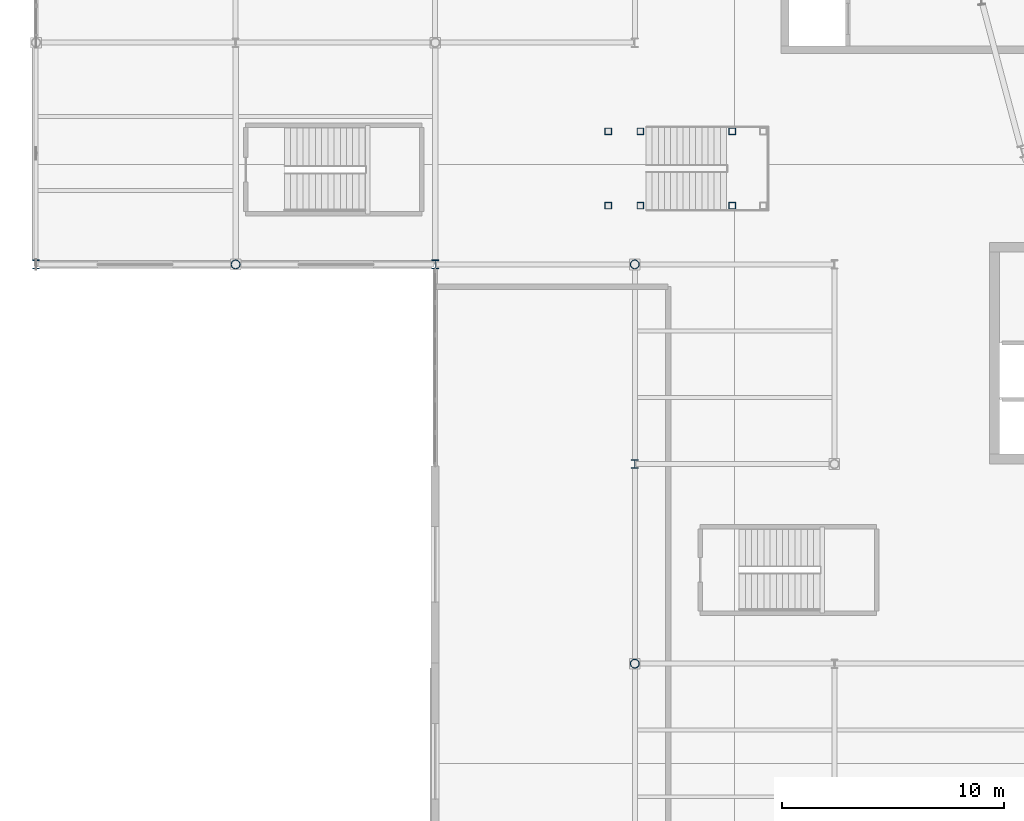
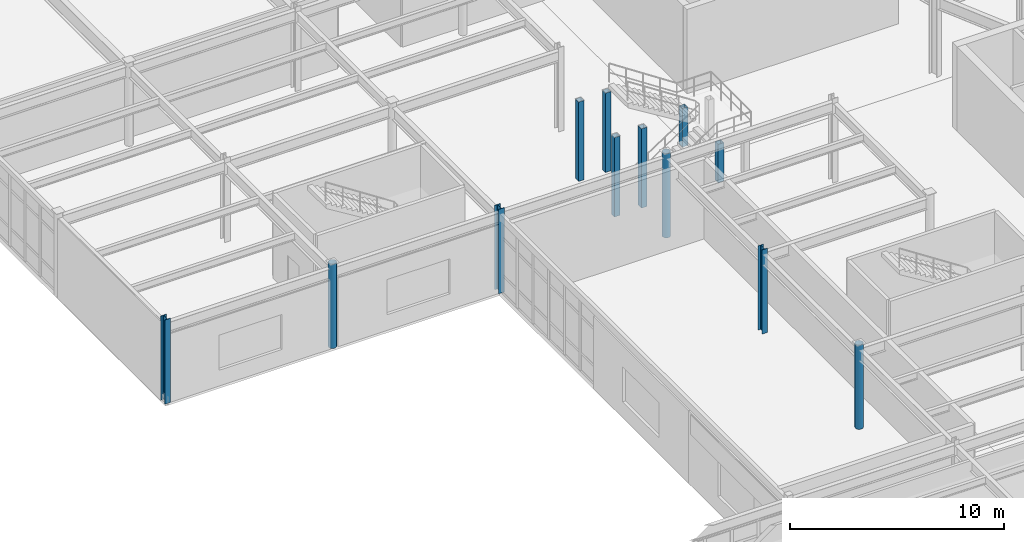
# One storey, part 3 of 84: 12 columns.
"""IFC4 building model written with IfcOpenShell, lengths in metres."""

from ifc_helpers import new_model, si_unit, direction, frame, origin, origin_2d, place, context, subcontext, project, spatial, hollow_rectangle, hollow_circle, i_section, extrude, material, material_profile, profile_set, type_object, element, save


model = new_model("IFC4")

# Units and contexts
model_context = context("Model", 3, precision=1e-05, world=origin(), true_north=direction((0.0, 1.0)))
body_context = subcontext(model_context, "Body", "Model", "MODEL_VIEW")
ifc_project = project(units=[si_unit("LENGTHUNIT", "METRE"), si_unit("AREAUNIT", "SQUARE_METRE"), si_unit("VOLUMEUNIT", "CUBIC_METRE"), si_unit("PLANEANGLEUNIT", "RADIAN"), si_unit("MASSUNIT", "GRAM", prefix="KILO")], contexts=[model_context])

# Site, building, storey
site_placement = place(None, origin())
site = spatial("IfcSite", under=ifc_project, at=site_placement, CompositionType="ELEMENT")
building_placement = place(site_placement, origin())
building = spatial("IfcBuilding", under=site, at=building_placement, Name="Glasvene Arena", CompositionType="ELEMENT")
storey_placement = place(building_placement, frame((0.0, 0.0, 10.199951171875)))
storey = spatial("IfcBuildingStorey", under=building, at=storey_placement, Name="L02", CompositionType="ELEMENT", Elevation=10.199951171875)

# Columns
ifc_material = material(Name="Steel S355J2", Category="steel")
ifc_material_profile_1 = material_profile(ifc_material, hollow_circle(Radius=0.203125, WallThickness=0.01611328125, at=origin_2d()), Name="CHS 406.4x16.0")
ifc_profile_set_1 = profile_set([ifc_material_profile_1], Name="Steel S355J2")
column_type_1 = type_object("IfcColumnType", Name="COL-W-CHS406", PredefinedType="COLUMN", material=ifc_profile_set_1)
for number, where, z_axis, x_axis, name in (
    (1, (9.0, 54.0, 0.0), (0.0, 0.0, 1.0), (1.0, 0.0, 0.0), "Grid column 2-7 L02"),
    (2, (27.0, 36.0, 0.0), (0.0, 0.0, 1.0), (1.0, 0.0, 0.0), "Grid column 4-5 L02"),
    (3, (27.0, 54.0, 0.0), (0.0, 0.0, 1.0), (1.0, 0.0, 0.0), "Grid column 4-7 L02"),
):
    element("IfcColumn", number, at=place(storey_placement, frame(where, z_axis=z_axis, x_axis=x_axis)), inside=storey, type_object=column_type_1, Name=name, PredefinedType="COLUMN", context=body_context, shape_type="SweptSolid", body=[
        extrude(hollow_circle(Radius=0.203125, WallThickness=0.01611328125, at=origin_2d()), origin(), (0.0, 0.0, 1.0), 4.800048828125),
    ])
ifc_material_profile_2 = material_profile(ifc_material, i_section(OverallWidth=0.300048828125, OverallDepth=0.39990234375, WebThickness=0.013427734375, FlangeThickness=0.02392578125, FilletRadius=0.027099609375, at=origin_2d()), Name="HEB 400")
ifc_profile_set_2 = profile_set([ifc_material_profile_2], Name="Steel S355J2")
column_type_2 = type_object("IfcColumnType", Name="COL-W-HEB400", PredefinedType="COLUMN", material=ifc_profile_set_2)
for number, where, z_axis, x_axis, name in (
    (4, (0.0, 54.0, 0.0), (0.0, 0.0, 1.0), (1.0, 0.0, 0.0), "Grid column 1-7 L02"),
    (5, (18.0, 54.0, 0.0), (0.0, 0.0, 1.0), (1.0, 0.0, 0.0), "Grid column 3-7 L02"),
    (6, (27.0, 45.0, 0.0), (0.0, 0.0, 1.0), (1.0, 0.0, 0.0), "Grid column 4-6 L02"),
):
    element("IfcColumn", number, at=place(storey_placement, frame(where, z_axis=z_axis, x_axis=x_axis)), inside=storey, type_object=column_type_2, Name=name, PredefinedType="COLUMN", context=body_context, shape_type="SweptSolid", body=[
        extrude(i_section(OverallWidth=0.300048828125, OverallDepth=0.39990234375, WebThickness=0.013427734375, FlangeThickness=0.02392578125, FilletRadius=0.027099609375, at=origin_2d()), origin(), (0.0, 0.0, 1.0), 4.800048828125),
    ])
ifc_material_profile_3 = material_profile(ifc_material, hollow_rectangle(XDim=0.300048828125, YDim=0.300048828125, WallThickness=0.012451171875, at=origin_2d()), Name="SHS 300x300x12.5")
ifc_profile_set_3 = profile_set([ifc_material_profile_3], Name="Steel S355J2")
column_type_3 = type_object("IfcColumnType", Name="COL-W-SHS300", PredefinedType="COLUMN", material=ifc_profile_set_3)
for number, where, z_axis, x_axis, name in (
    (7, (25.800048828125, 56.64990234375, 0.0), (0.0, 0.0, 1.0), (1.0, 0.0, 0.0), "Vomitory arrival support column VOM-05 L02"),
    (8, (25.800048828125, 60.0, 0.0), (0.0, 0.0, 1.0), (1.0, 0.0, 0.0), "Vomitory arrival support column VOM-05 L02"),
    (9, (27.25, 56.64990234375, 0.0), (0.0, 0.0, 1.0), (1.0, 0.0, 0.0), "Vomitory arrival support column VOM-05 L02"),
    (10, (27.25, 60.0, 0.0), (0.0, 0.0, 1.0), (1.0, 0.0, 0.0), "Vomitory arrival support column VOM-05 L02"),
):
    element("IfcColumn", number, at=place(storey_placement, frame(where, z_axis=z_axis, x_axis=x_axis)), inside=storey, type_object=column_type_3, Name=name, PredefinedType="COLUMN", context=body_context, shape_type="SweptSolid", body=[
        extrude(hollow_rectangle(XDim=0.300048828125, YDim=0.300048828125, WallThickness=0.012451171875, at=origin_2d()), origin(), (0.0, 0.0, 1.0), 4.52001953125),
    ])
for number, where, z_axis, x_axis, name in (
    (11, (31.389892578125, 56.64990234375, 0.0), (0.0, 0.0, 1.0), (1.0, 0.0, 0.0), "Vomitory landing column VOM-05 L02"),
    (12, (31.389892578125, 60.0, 0.0), (0.0, 0.0, 1.0), (1.0, 0.0, 0.0), "Vomitory landing column VOM-05 L02"),
):
    element("IfcColumn", number, at=place(storey_placement, frame(where, z_axis=z_axis, x_axis=x_axis)), inside=storey, type_object=column_type_3, Name=name, PredefinedType="COLUMN", context=body_context, shape_type="SweptSolid", body=[
        extrude(hollow_rectangle(XDim=0.300048828125, YDim=0.300048828125, WallThickness=0.012451171875, at=origin_2d()), origin(), (0.0, 0.0, 1.0), 2.179931640625),
    ])

save(model, "model.ifc")
